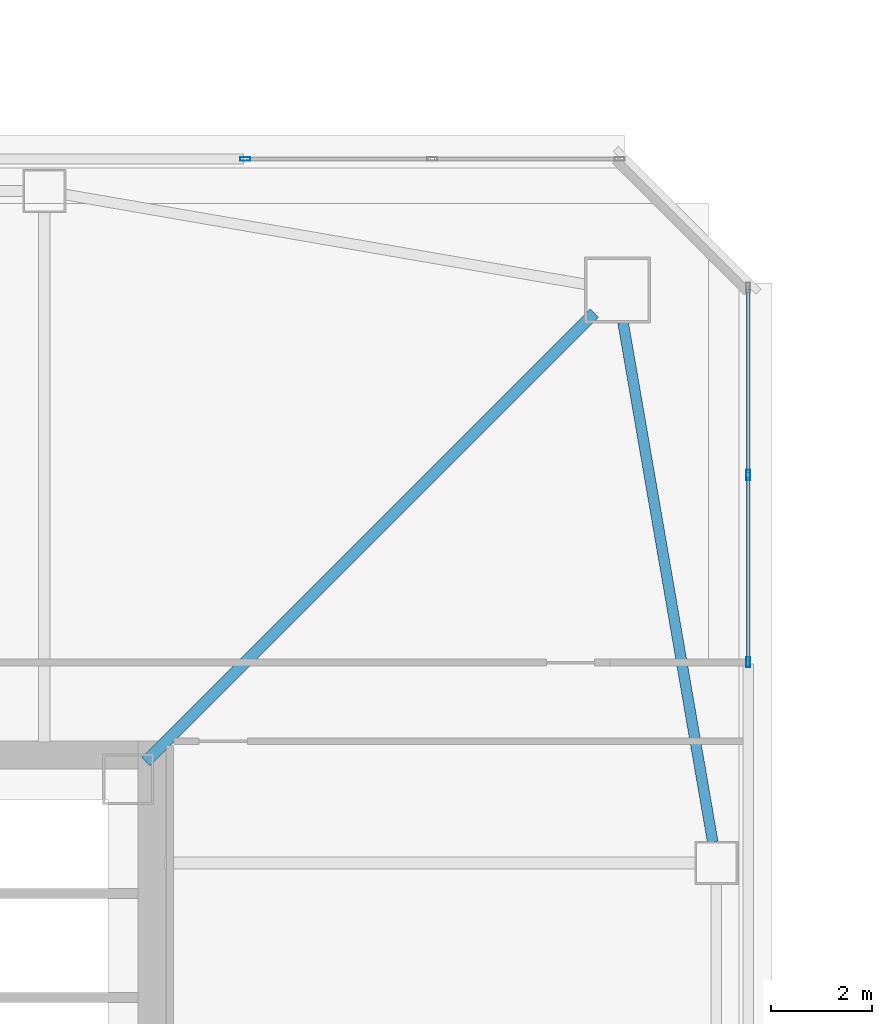
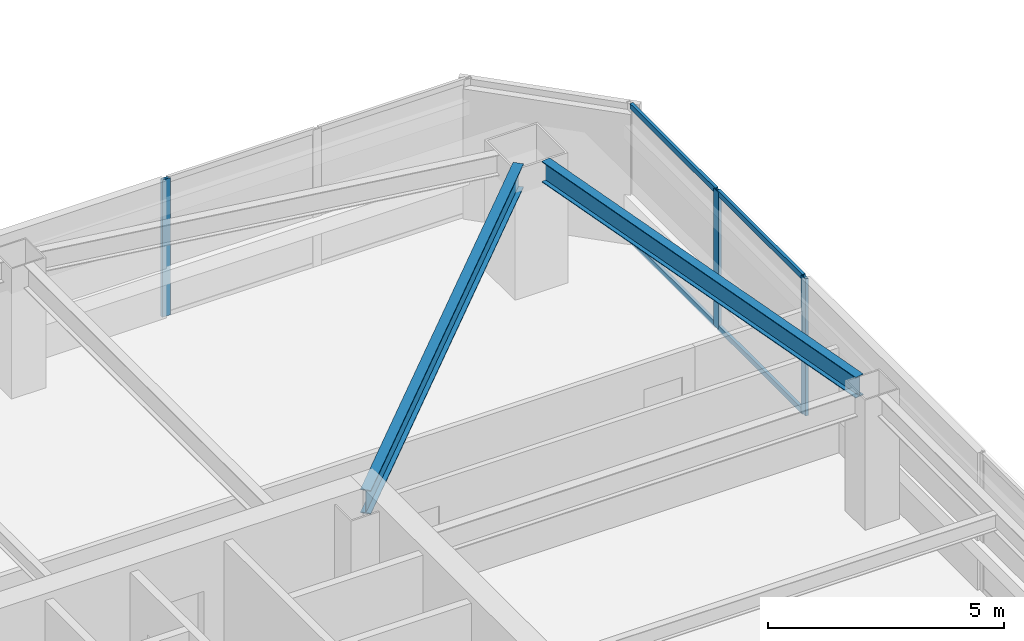
# One storey, part 15 of 44: 7 members, 2 beams, 2 elements without a shape of their own.
"""IFC4 building model written with IfcOpenShell, lengths in metres."""

from ifc_helpers import new_model, si_unit, direction, frame, origin, origin_2d, place, context, subcontext, project, spatial, hollow_rectangle, i_section, extrude, material, material_profile, profile_set, type_object, element, aggregate, save


model = new_model("IFC4")

# Units and contexts
model_context = context("Model", 3, precision=1e-05, world=origin(), true_north=direction((0.0, 1.0)))
body_context = subcontext(model_context, "Body", "Model", "MODEL_VIEW")
ifc_project = project(units=[si_unit("LENGTHUNIT", "METRE"), si_unit("AREAUNIT", "SQUARE_METRE"), si_unit("VOLUMEUNIT", "CUBIC_METRE"), si_unit("PLANEANGLEUNIT", "RADIAN"), si_unit("MASSUNIT", "GRAM", prefix="KILO")], contexts=[model_context])

# Site, building, storey
site_placement = place(None, origin())
site = spatial("IfcSite", under=ifc_project, at=site_placement, CompositionType="ELEMENT")
building_placement = place(site_placement, origin())
building = spatial("IfcBuilding", under=site, at=building_placement, Name="Tashvorn Skyway Center", CompositionType="ELEMENT")
storey_placement = place(building_placement, frame((0.0, 0.0, 128.60009765625)))
storey = spatial("IfcBuildingStorey", under=building, at=storey_placement, Name="L34", CompositionType="ELEMENT", Elevation=128.60009765625)

# Beams
ifc_material_1 = material(Name="Steel ASTM A992 Grade 50", Category="steel")
ifc_material_profile_1 = material_profile(ifc_material_1, i_section(OverallWidth=0.22998046875, OverallDepth=0.616943359375, WebThickness=0.01318359375, FlangeThickness=0.022216796875, at=origin_2d()), Name="W24X94")
ifc_profile_set_1 = profile_set([ifc_material_profile_1], Name="Steel ASTM A992 Grade 50")
beam_type_1 = type_object("IfcBeamType", Name="BM-BEAM-W24X94", PredefinedType="BEAM", material=ifc_profile_set_1)
beam_1_placement = place(storey_placement, frame((58.243896484375, 48.243896484375, 3.0615234375), z_axis=(-0.707106781187, -0.707106781187, 0.0), x_axis=(0.707106781187, -0.707106781187, 0.0)))
element("IfcBeam", 1, at=beam_1_placement, inside=storey, type_object=beam_type_1, Name="Tower 1 L34 Primary Floor Girder MC-NE", PredefinedType="BEAM", context=body_context, shape_type="SweptSolid", body=[
    extrude(i_section(OverallWidth=0.22998046875, OverallDepth=0.616943359375, WebThickness=0.01318359375, FlangeThickness=0.022216796875, at=origin_2d()), origin(), (0.0, 0.0, 1.0), 12.50732421875),
])
ifc_material_profile_2 = material_profile(ifc_material_1, i_section(OverallWidth=0.2109375, OverallDepth=0.5390625, WebThickness=0.01171875, FlangeThickness=0.018798828125, at=origin_2d()), Name="W21X73")
ifc_profile_set_2 = profile_set([ifc_material_profile_2], Name="Steel ASTM A992 Grade 50")
beam_type_2 = type_object("IfcBeamType", Name="BM-SPANDREL-W21X73", PredefinedType="SPANDREL", material=ifc_profile_set_2)
beam_2_placement = place(storey_placement, frame((60.57861328125, 37.81396484375, 3.100341796875), z_axis=(-0.170067250846, 0.985432458462, 0.0), x_axis=(-0.985432458462, -0.170067250846, 0.0)))
element("IfcBeam", 2, at=beam_2_placement, inside=storey, type_object=beam_type_2, Name="Tower 1 L34 Spandrel Beam 06", PredefinedType="SPANDREL", context=body_context, shape_type="SweptSolid", body=[
    extrude(i_section(OverallWidth=0.2109375, OverallDepth=0.5390625, WebThickness=0.01171875, FlangeThickness=0.018798828125, at=origin_2d()), origin(), (0.0, 0.0, 1.0), 10.402099609375),
])

# Curtain wall, member
ifc_material_2 = material(Name="Thermally broken bronze-anodized aluminium 6063-T6", Category="aluminium")
curtain_wall_type = type_object("IfcCurtainWallType", Name="CW-CW-Z3", PredefinedType="NOTDEFINED", material=ifc_material_2)
curtain_wall_1_placement = place(storey_placement, origin())
curtain_wall_1 = element("IfcCurtainWall", 3, at=curtain_wall_1_placement, inside=storey, type_object=curtain_wall_type, Name="Tower 1 L34 North Unitised Curtain Wall Glazing Group 3", PredefinedType="NOTDEFINED")
ifc_material_profile_3 = material_profile(ifc_material_2, hollow_rectangle(XDim=0.074951171875, YDim=0.199951171875, WallThickness=0.00439453125, at=origin_2d()), Name="ALU-MULL-75x200")
ifc_profile_set_3 = profile_set([ifc_material_profile_3], Name="Thermally broken bronze-anodized aluminium 6063-T6")
member_type_1 = type_object("IfcMemberType", Name="CWM-CW-Z3", PredefinedType="MULLION", material=ifc_profile_set_3)
member_1_placement = place(storey_placement, frame((51.359619140625, 51.280029296875, 0.0), z_axis=(0.0, 0.0, 1.0), x_axis=(0.0, 1.0, 0.0)))
member_1 = element("IfcMember", 4, at=member_1_placement, type_object=member_type_1, Name="CW-Z3 mullion 1", PredefinedType="MULLION", context=body_context, shape_type="SweptSolid", body=[
    extrude(hollow_rectangle(XDim=0.074951171875, YDim=0.199951171875, WallThickness=0.00439453125, at=origin_2d()), origin(), (0.0, 0.0, 1.0), 3.5498046875),
])
aggregate(curtain_wall_1, [member_1])

# Curtain wall, members
curtain_wall_2_placement = place(storey_placement, origin())
curtain_wall_2 = element("IfcCurtainWall", 5, at=curtain_wall_2_placement, inside=storey, type_object=curtain_wall_type, Name="Tower 1 L34 East Unitised Curtain Wall Glazing Group 1", PredefinedType="NOTDEFINED")
member_2_placement = place(storey_placement, frame((61.280029296875, 45.051025390625, 0.0), z_axis=(0.0, 0.0, 1.0), x_axis=(1.0, 0.0, 0.0)))
member_2 = element("IfcMember", 6, at=member_2_placement, type_object=member_type_1, Name="CW-Z3 mullion 2", PredefinedType="MULLION", context=body_context, shape_type="SweptSolid", body=[
    extrude(hollow_rectangle(XDim=0.074951171875, YDim=0.199951171875, WallThickness=0.00439453125, at=origin_2d()), origin(), (0.0, 0.0, 1.0), 3.5498046875),
])
member_3_placement = place(storey_placement, frame((61.280029296875, 41.359619140625, 0.0), z_axis=(0.0, 0.0, 1.0), x_axis=(1.0, 0.0, 0.0)))
member_3 = element("IfcMember", 7, at=member_3_placement, type_object=member_type_1, Name="CW-Z3 mullion 3", PredefinedType="MULLION", context=body_context, shape_type="SweptSolid", body=[
    extrude(hollow_rectangle(XDim=0.074951171875, YDim=0.199951171875, WallThickness=0.00439453125, at=origin_2d()), origin(), (0.0, 0.0, 1.0), 3.5498046875),
])
ifc_material_profile_4 = material_profile(ifc_material_2, hollow_rectangle(XDim=0.074951171875, YDim=0.139892578125, WallThickness=0.004150390625, at=origin_2d()), Name="ALU-TRAN-75x140")
ifc_profile_set_4 = profile_set([ifc_material_profile_4], Name="Thermally broken bronze-anodized aluminium 6063-T6")
member_type_2 = type_object("IfcMemberType", Name="CWT-CW-Z3", PredefinedType="USERDEFINED", material=ifc_profile_set_4)
member_4_placement = place(storey_placement, frame((61.280029296875, 48.705078125, 0.037353515625), z_axis=(0.0, -1.0, 0.0), x_axis=(1.0, 0.0, 0.0)))
member_4 = element("IfcMember", 8, at=member_4_placement, type_object=member_type_2, Name="CW-Z3 transom 1.1", ObjectType="TRANSOM", PredefinedType="USERDEFINED", context=body_context, shape_type="SweptSolid", body=[
    extrude(hollow_rectangle(XDim=0.074951171875, YDim=0.139892578125, WallThickness=0.004150390625, at=origin_2d()), origin(), (0.0, 0.0, 1.0), 3.616455078125),
])
member_5_placement = place(storey_placement, frame((61.280029296875, 48.705078125, 3.512451171875), z_axis=(0.0, -1.0, 0.0), x_axis=(1.0, 0.0, 0.0)))
member_5 = element("IfcMember", 9, at=member_5_placement, type_object=member_type_2, Name="CW-Z3 transom 1.2", ObjectType="TRANSOM", PredefinedType="USERDEFINED", context=body_context, shape_type="SweptSolid", body=[
    extrude(hollow_rectangle(XDim=0.074951171875, YDim=0.139892578125, WallThickness=0.004150390625, at=origin_2d()), origin(), (0.0, 0.0, 1.0), 3.616455078125),
])
member_6_placement = place(storey_placement, frame((61.280029296875, 45.013671875, 0.037353515625), z_axis=(0.0, -1.0, 0.0), x_axis=(1.0, 0.0, 0.0)))
member_6 = element("IfcMember", 10, at=member_6_placement, type_object=member_type_2, Name="CW-Z3 transom 2.1", ObjectType="TRANSOM", PredefinedType="USERDEFINED", context=body_context, shape_type="SweptSolid", body=[
    extrude(hollow_rectangle(XDim=0.074951171875, YDim=0.139892578125, WallThickness=0.004150390625, at=origin_2d()), origin(), (0.0, 0.0, 1.0), 3.616455078125),
])
member_7_placement = place(storey_placement, frame((61.280029296875, 45.013671875, 3.512451171875), z_axis=(0.0, -1.0, 0.0), x_axis=(1.0, 0.0, 0.0)))
member_7 = element("IfcMember", 11, at=member_7_placement, type_object=member_type_2, Name="CW-Z3 transom 2.2", ObjectType="TRANSOM", PredefinedType="USERDEFINED", context=body_context, shape_type="SweptSolid", body=[
    extrude(hollow_rectangle(XDim=0.074951171875, YDim=0.139892578125, WallThickness=0.004150390625, at=origin_2d()), origin(), (0.0, 0.0, 1.0), 3.616455078125),
])
aggregate(curtain_wall_2, [member_2, member_3, member_4, member_5, member_6, member_7])

save(model, "model.ifc")
